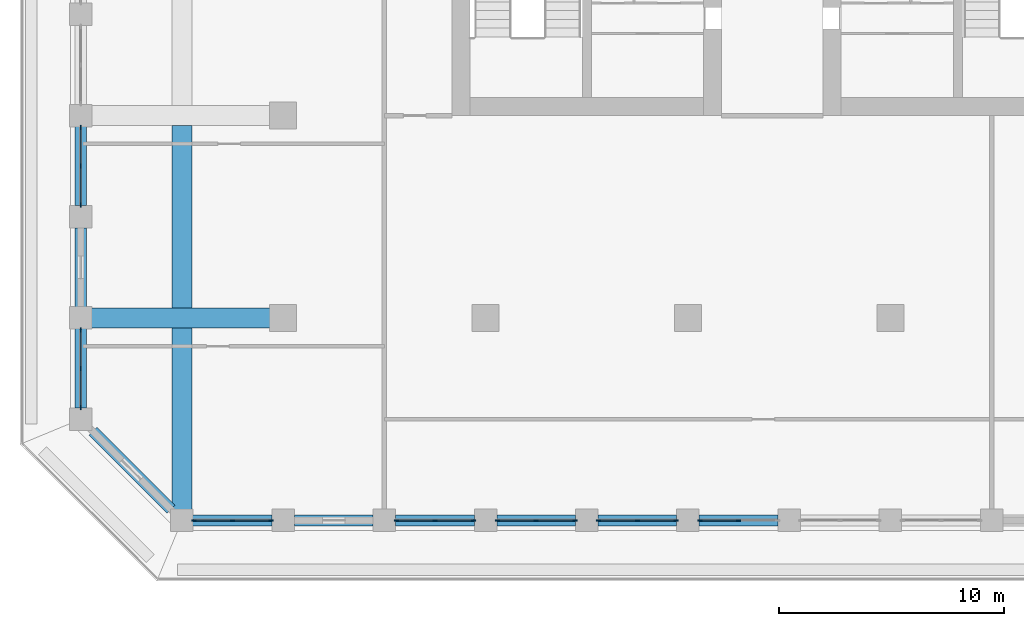
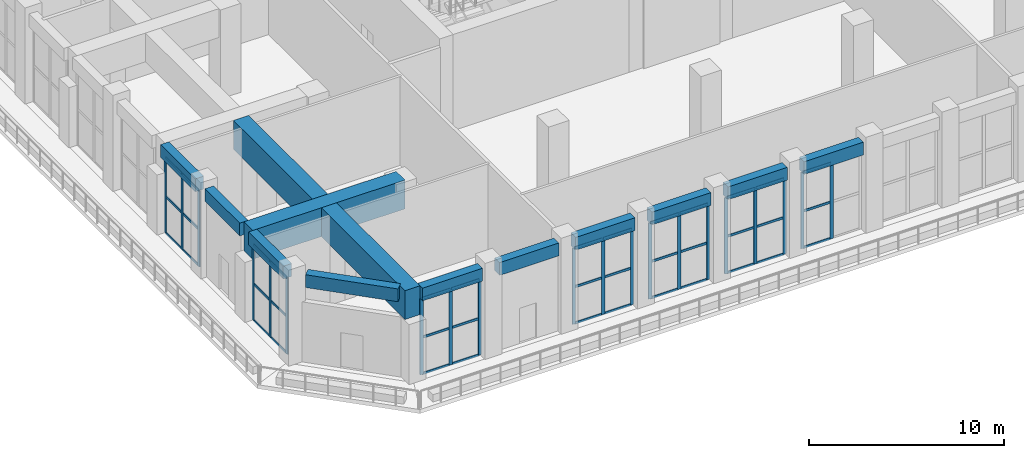
# One storey, part 2 of 25: 59 members, 13 beams, 7 elements without a shape of their own.
"""IFC4 building model written with IfcOpenShell, lengths in metres."""

from ifc_helpers import new_model, si_unit, direction, frame, origin, origin_2d, place, context, subcontext, project, spatial, rectangle, extrude, material, material_profile, profile_set, type_object, element, aggregate, save


model = new_model("IFC4")

# Units and contexts
model_context = context("Model", 3, precision=1e-05, world=origin(), true_north=direction((0.0, 1.0)))
body_context = subcontext(model_context, "Body", "Model", "MODEL_VIEW")
ifc_project = project(units=[si_unit("LENGTHUNIT", "METRE"), si_unit("AREAUNIT", "SQUARE_METRE"), si_unit("VOLUMEUNIT", "CUBIC_METRE"), si_unit("PLANEANGLEUNIT", "RADIAN"), si_unit("MASSUNIT", "GRAM", prefix="KILO")], contexts=[model_context])

# Site, building, storey
site_placement = place(None, origin())
site = spatial("IfcSite", under=ifc_project, at=site_placement, CompositionType="ELEMENT")
building_placement = place(site_placement, origin())
building = spatial("IfcBuilding", under=site, at=building_placement, Name="Corbel Stack Research Tower", CompositionType="ELEMENT")
storey_placement = place(building_placement, frame((0.0, 0.0, 185.5)))
storey = spatial("IfcBuildingStorey", under=building, at=storey_placement, Name="L42", CompositionType="ELEMENT", Elevation=185.5)

# Curtain wall, members
ifc_material_1 = material(Name="Aluminium frame, clear glass", Category="aluminium")
curtain_wall_type = type_object("IfcCurtainWallType", Name="Upper amenity floor curtain wall CW3", PredefinedType="NOTDEFINED", material=ifc_material_1)
curtain_wall_1_placement = place(storey_placement, origin())
curtain_wall_1 = element("IfcCurtainWall", 1, at=curtain_wall_1_placement, inside=storey, type_object=curtain_wall_type, Name="Curtain wall CW3 L42 S01", PredefinedType="NOTDEFINED")
ifc_material_2 = material(Name="Aluminium mullion", Category="aluminium")
ifc_material_profile_1 = material_profile(ifc_material_2, rectangle(XDim=0.06005859375, YDim=0.199951171875, at=origin_2d()), Name="Mullion 60 x 200")
ifc_profile_set_1 = profile_set([ifc_material_profile_1], Name="Aluminium mullion")
member_type_1 = type_object("IfcMemberType", Name="Curtain wall mullion 60 x 200", PredefinedType="MULLION", material=ifc_profile_set_1)
member_1_placement = place(storey_placement, frame((-21.969970703125, -27.0, 0.0), z_axis=(0.0, 0.0, 1.0), x_axis=(0.0, 1.0, 0.0)))
member_1 = element("IfcMember", 2, at=member_1_placement, type_object=member_type_1, Name="CW3 mullion 1", PredefinedType="MULLION", context=body_context, shape_type="SweptSolid", body=[
    extrude(rectangle(XDim=0.06005859375, YDim=0.199951171875, at=origin_2d()), origin(), (0.0, 0.0, 1.0), 4.75),
])
member_2_placement = place(storey_placement, frame((-20.25, -27.0, 0.0), z_axis=(0.0, 0.0, 1.0), x_axis=(0.0, 1.0, 0.0)))
member_2 = element("IfcMember", 3, at=member_2_placement, type_object=member_type_1, Name="CW3 mullion 2", PredefinedType="MULLION", context=body_context, shape_type="SweptSolid", body=[
    extrude(rectangle(XDim=0.06005859375, YDim=0.199951171875, at=origin_2d()), origin(), (0.0, 0.0, 1.0), 4.75),
])
member_3_placement = place(storey_placement, frame((-18.530029296875, -27.0, 0.0), z_axis=(0.0, 0.0, 1.0), x_axis=(0.0, 1.0, 0.0)))
member_3 = element("IfcMember", 4, at=member_3_placement, type_object=member_type_1, Name="CW3 mullion 3", PredefinedType="MULLION", context=body_context, shape_type="SweptSolid", body=[
    extrude(rectangle(XDim=0.06005859375, YDim=0.199951171875, at=origin_2d()), origin(), (0.0, 0.0, 1.0), 4.75),
])

curtain_wall_2_placement = place(storey_placement, origin())
curtain_wall_2 = element("IfcCurtainWall", 5, at=curtain_wall_2_placement, inside=storey, type_object=curtain_wall_type, Name="Curtain wall CW3 L42 S03", PredefinedType="NOTDEFINED")
member_4_placement = place(storey_placement, frame((-12.969970703125, -27.0, 0.0), z_axis=(0.0, 0.0, 1.0), x_axis=(0.0, 1.0, 0.0)))
member_4 = element("IfcMember", 6, at=member_4_placement, type_object=member_type_1, Name="CW3 mullion 1", PredefinedType="MULLION", context=body_context, shape_type="SweptSolid", body=[
    extrude(rectangle(XDim=0.06005859375, YDim=0.199951171875, at=origin_2d()), origin(), (0.0, 0.0, 1.0), 4.75),
])
member_5_placement = place(storey_placement, frame((-11.25, -27.0, 0.0), z_axis=(0.0, 0.0, 1.0), x_axis=(0.0, 1.0, 0.0)))
member_5 = element("IfcMember", 7, at=member_5_placement, type_object=member_type_1, Name="CW3 mullion 2", PredefinedType="MULLION", context=body_context, shape_type="SweptSolid", body=[
    extrude(rectangle(XDim=0.06005859375, YDim=0.199951171875, at=origin_2d()), origin(), (0.0, 0.0, 1.0), 4.75),
])
member_6_placement = place(storey_placement, frame((-9.530029296875, -27.0, 0.0), z_axis=(0.0, 0.0, 1.0), x_axis=(0.0, 1.0, 0.0)))
member_6 = element("IfcMember", 8, at=member_6_placement, type_object=member_type_1, Name="CW3 mullion 3", PredefinedType="MULLION", context=body_context, shape_type="SweptSolid", body=[
    extrude(rectangle(XDim=0.06005859375, YDim=0.199951171875, at=origin_2d()), origin(), (0.0, 0.0, 1.0), 4.75),
])

curtain_wall_3_placement = place(storey_placement, origin())
curtain_wall_3 = element("IfcCurtainWall", 9, at=curtain_wall_3_placement, inside=storey, type_object=curtain_wall_type, Name="Curtain wall CW3 L42 S04", PredefinedType="NOTDEFINED")
member_7_placement = place(storey_placement, frame((-8.469970703125, -27.0, 0.0), z_axis=(0.0, 0.0, 1.0), x_axis=(0.0, 1.0, 0.0)))
member_7 = element("IfcMember", 10, at=member_7_placement, type_object=member_type_1, Name="CW3 mullion 1", PredefinedType="MULLION", context=body_context, shape_type="SweptSolid", body=[
    extrude(rectangle(XDim=0.06005859375, YDim=0.199951171875, at=origin_2d()), origin(), (0.0, 0.0, 1.0), 4.75),
])
member_8_placement = place(storey_placement, frame((-6.75, -27.0, 0.0), z_axis=(0.0, 0.0, 1.0), x_axis=(0.0, 1.0, 0.0)))
member_8 = element("IfcMember", 11, at=member_8_placement, type_object=member_type_1, Name="CW3 mullion 2", PredefinedType="MULLION", context=body_context, shape_type="SweptSolid", body=[
    extrude(rectangle(XDim=0.06005859375, YDim=0.199951171875, at=origin_2d()), origin(), (0.0, 0.0, 1.0), 4.75),
])
member_9_placement = place(storey_placement, frame((-5.030029296875, -27.0, 0.0), z_axis=(0.0, 0.0, 1.0), x_axis=(0.0, 1.0, 0.0)))
member_9 = element("IfcMember", 12, at=member_9_placement, type_object=member_type_1, Name="CW3 mullion 3", PredefinedType="MULLION", context=body_context, shape_type="SweptSolid", body=[
    extrude(rectangle(XDim=0.06005859375, YDim=0.199951171875, at=origin_2d()), origin(), (0.0, 0.0, 1.0), 4.75),
])

curtain_wall_4_placement = place(storey_placement, origin())
curtain_wall_4 = element("IfcCurtainWall", 13, at=curtain_wall_4_placement, inside=storey, type_object=curtain_wall_type, Name="Curtain wall CW3 L42 S05", PredefinedType="NOTDEFINED")
member_10_placement = place(storey_placement, frame((-3.969970703125, -27.0, 0.0), z_axis=(0.0, 0.0, 1.0), x_axis=(0.0, 1.0, 0.0)))
member_10 = element("IfcMember", 14, at=member_10_placement, type_object=member_type_1, Name="CW3 mullion 1", PredefinedType="MULLION", context=body_context, shape_type="SweptSolid", body=[
    extrude(rectangle(XDim=0.06005859375, YDim=0.199951171875, at=origin_2d()), origin(), (0.0, 0.0, 1.0), 4.75),
])
member_11_placement = place(storey_placement, frame((-2.25, -27.0, 0.0), z_axis=(0.0, 0.0, 1.0), x_axis=(0.0, 1.0, 0.0)))
member_11 = element("IfcMember", 15, at=member_11_placement, type_object=member_type_1, Name="CW3 mullion 2", PredefinedType="MULLION", context=body_context, shape_type="SweptSolid", body=[
    extrude(rectangle(XDim=0.06005859375, YDim=0.199951171875, at=origin_2d()), origin(), (0.0, 0.0, 1.0), 4.75),
])
member_12_placement = place(storey_placement, frame((-0.530029296875, -27.0, 0.0), z_axis=(0.0, 0.0, 1.0), x_axis=(0.0, 1.0, 0.0)))
member_12 = element("IfcMember", 16, at=member_12_placement, type_object=member_type_1, Name="CW3 mullion 3", PredefinedType="MULLION", context=body_context, shape_type="SweptSolid", body=[
    extrude(rectangle(XDim=0.06005859375, YDim=0.199951171875, at=origin_2d()), origin(), (0.0, 0.0, 1.0), 4.75),
])

curtain_wall_5_placement = place(storey_placement, origin())
curtain_wall_5 = element("IfcCurtainWall", 17, at=curtain_wall_5_placement, inside=storey, type_object=curtain_wall_type, Name="Curtain wall CW3 L42 S06", PredefinedType="NOTDEFINED")
member_13_placement = place(storey_placement, frame((0.530029296875, -27.0, 0.0), z_axis=(0.0, 0.0, 1.0), x_axis=(0.0, 1.0, 0.0)))
member_13 = element("IfcMember", 18, at=member_13_placement, type_object=member_type_1, Name="CW3 mullion 1", PredefinedType="MULLION", context=body_context, shape_type="SweptSolid", body=[
    extrude(rectangle(XDim=0.06005859375, YDim=0.199951171875, at=origin_2d()), origin(), (0.0, 0.0, 1.0), 4.75),
])
member_14_placement = place(storey_placement, frame((2.25, -27.0, 0.0), z_axis=(0.0, 0.0, 1.0), x_axis=(0.0, 1.0, 0.0)))
member_14 = element("IfcMember", 19, at=member_14_placement, type_object=member_type_1, Name="CW3 mullion 2", PredefinedType="MULLION", context=body_context, shape_type="SweptSolid", body=[
    extrude(rectangle(XDim=0.06005859375, YDim=0.199951171875, at=origin_2d()), origin(), (0.0, 0.0, 1.0), 4.75),
])

curtain_wall_6_placement = place(storey_placement, origin())
curtain_wall_6 = element("IfcCurtainWall", 20, at=curtain_wall_6_placement, inside=storey, type_object=curtain_wall_type, Name="Curtain wall CW3 L42 W08", PredefinedType="NOTDEFINED")
member_15_placement = place(storey_placement, frame((-27.0, -9.530029296875, 0.0), z_axis=(0.0, 0.0, 1.0), x_axis=(1.0, 0.0, 0.0)))
member_15 = element("IfcMember", 21, at=member_15_placement, type_object=member_type_1, Name="CW3 mullion 1", PredefinedType="MULLION", context=body_context, shape_type="SweptSolid", body=[
    extrude(rectangle(XDim=0.06005859375, YDim=0.199951171875, at=origin_2d()), origin(), (0.0, 0.0, 1.0), 4.75),
])
member_16_placement = place(storey_placement, frame((-27.0, -11.25, 0.0), z_axis=(0.0, 0.0, 1.0), x_axis=(1.0, 0.0, 0.0)))
member_16 = element("IfcMember", 22, at=member_16_placement, type_object=member_type_1, Name="CW3 mullion 2", PredefinedType="MULLION", context=body_context, shape_type="SweptSolid", body=[
    extrude(rectangle(XDim=0.06005859375, YDim=0.199951171875, at=origin_2d()), origin(), (0.0, 0.0, 1.0), 4.75),
])
member_17_placement = place(storey_placement, frame((-27.0, -12.969970703125, 0.0), z_axis=(0.0, 0.0, 1.0), x_axis=(1.0, 0.0, 0.0)))
member_17 = element("IfcMember", 23, at=member_17_placement, type_object=member_type_1, Name="CW3 mullion 3", PredefinedType="MULLION", context=body_context, shape_type="SweptSolid", body=[
    extrude(rectangle(XDim=0.06005859375, YDim=0.199951171875, at=origin_2d()), origin(), (0.0, 0.0, 1.0), 4.75),
])

curtain_wall_7_placement = place(storey_placement, origin())
curtain_wall_7 = element("IfcCurtainWall", 24, at=curtain_wall_7_placement, inside=storey, type_object=curtain_wall_type, Name="Curtain wall CW3 L42 W10", PredefinedType="NOTDEFINED")
member_18_placement = place(storey_placement, frame((-27.0, -18.530029296875, 0.0), z_axis=(0.0, 0.0, 1.0), x_axis=(1.0, 0.0, 0.0)))
member_18 = element("IfcMember", 25, at=member_18_placement, type_object=member_type_1, Name="CW3 mullion 1", PredefinedType="MULLION", context=body_context, shape_type="SweptSolid", body=[
    extrude(rectangle(XDim=0.06005859375, YDim=0.199951171875, at=origin_2d()), origin(), (0.0, 0.0, 1.0), 4.75),
])
member_19_placement = place(storey_placement, frame((-27.0, -20.25, 0.0), z_axis=(0.0, 0.0, 1.0), x_axis=(1.0, 0.0, 0.0)))
member_19 = element("IfcMember", 26, at=member_19_placement, type_object=member_type_1, Name="CW3 mullion 2", PredefinedType="MULLION", context=body_context, shape_type="SweptSolid", body=[
    extrude(rectangle(XDim=0.06005859375, YDim=0.199951171875, at=origin_2d()), origin(), (0.0, 0.0, 1.0), 4.75),
])
member_20_placement = place(storey_placement, frame((-27.0, -21.969970703125, 0.0), z_axis=(0.0, 0.0, 1.0), x_axis=(1.0, 0.0, 0.0)))
member_20 = element("IfcMember", 27, at=member_20_placement, type_object=member_type_1, Name="CW3 mullion 3", PredefinedType="MULLION", context=body_context, shape_type="SweptSolid", body=[
    extrude(rectangle(XDim=0.06005859375, YDim=0.199951171875, at=origin_2d()), origin(), (0.0, 0.0, 1.0), 4.75),
])

# Member
ifc_material_3 = material(Name="Aluminium transom", Category="aluminium")
ifc_material_profile_2 = material_profile(ifc_material_3, rectangle(XDim=0.06005859375, YDim=0.14990234375, at=origin_2d()), Name="Transom 60 x 150")
ifc_profile_set_2 = profile_set([ifc_material_profile_2], Name="Aluminium transom")
member_type_2 = type_object("IfcMemberType", Name="Curtain wall transom 60 x 150", PredefinedType="USERDEFINED", material=ifc_profile_set_2)
member_21_placement = place(storey_placement, frame((-21.93994140625, -27.0, 0.030029296875), z_axis=(1.0, 0.0, 0.0), x_axis=(0.0, 1.0, 0.0)))
member_21 = element("IfcMember", 28, at=member_21_placement, type_object=member_type_2, Name="CW3 transom 1.1", ObjectType="TRANSOM", PredefinedType="USERDEFINED", context=body_context, shape_type="SweptSolid", body=[
    extrude(rectangle(XDim=0.06005859375, YDim=0.14990234375, at=origin_2d()), origin(), (0.0, 0.0, 1.0), 1.659912109375),
])

member_22_placement = place(storey_placement, frame((-21.93994140625, -27.0, 2.300048828125), z_axis=(1.0, 0.0, 0.0), x_axis=(0.0, 1.0, 0.0)))
member_22 = element("IfcMember", 29, at=member_22_placement, type_object=member_type_2, Name="CW3 transom 1.2", ObjectType="TRANSOM", PredefinedType="USERDEFINED", context=body_context, shape_type="SweptSolid", body=[
    extrude(rectangle(XDim=0.06005859375, YDim=0.14990234375, at=origin_2d()), origin(), (0.0, 0.0, 1.0), 1.659912109375),
])

member_23_placement = place(storey_placement, frame((-21.93994140625, -27.0, 4.719970703125), z_axis=(1.0, 0.0, 0.0), x_axis=(0.0, 1.0, 0.0)))
member_23 = element("IfcMember", 30, at=member_23_placement, type_object=member_type_2, Name="CW3 transom 1.3", ObjectType="TRANSOM", PredefinedType="USERDEFINED", context=body_context, shape_type="SweptSolid", body=[
    extrude(rectangle(XDim=0.06005859375, YDim=0.14990234375, at=origin_2d()), origin(), (0.0, 0.0, 1.0), 1.659912109375),
])

member_24_placement = place(storey_placement, frame((-20.219970703125, -27.0, 0.030029296875), z_axis=(1.0, 0.0, 0.0), x_axis=(0.0, 1.0, 0.0)))
member_24 = element("IfcMember", 31, at=member_24_placement, type_object=member_type_2, Name="CW3 transom 2.1", ObjectType="TRANSOM", PredefinedType="USERDEFINED", context=body_context, shape_type="SweptSolid", body=[
    extrude(rectangle(XDim=0.06005859375, YDim=0.14990234375, at=origin_2d()), origin(), (0.0, 0.0, 1.0), 1.659912109375),
])

member_25_placement = place(storey_placement, frame((-20.219970703125, -27.0, 2.300048828125), z_axis=(1.0, 0.0, 0.0), x_axis=(0.0, 1.0, 0.0)))
member_25 = element("IfcMember", 32, at=member_25_placement, type_object=member_type_2, Name="CW3 transom 2.2", ObjectType="TRANSOM", PredefinedType="USERDEFINED", context=body_context, shape_type="SweptSolid", body=[
    extrude(rectangle(XDim=0.06005859375, YDim=0.14990234375, at=origin_2d()), origin(), (0.0, 0.0, 1.0), 1.659912109375),
])

member_26_placement = place(storey_placement, frame((-20.219970703125, -27.0, 4.719970703125), z_axis=(1.0, 0.0, 0.0), x_axis=(0.0, 1.0, 0.0)))
member_26 = element("IfcMember", 33, at=member_26_placement, type_object=member_type_2, Name="CW3 transom 2.3", ObjectType="TRANSOM", PredefinedType="USERDEFINED", context=body_context, shape_type="SweptSolid", body=[
    extrude(rectangle(XDim=0.06005859375, YDim=0.14990234375, at=origin_2d()), origin(), (0.0, 0.0, 1.0), 1.659912109375),
])

aggregate(curtain_wall_1, [member_1, member_2, member_3, member_21, member_22, member_23, member_24, member_25, member_26])

member_27_placement = place(storey_placement, frame((-12.93994140625, -27.0, 0.030029296875), z_axis=(1.0, 0.0, 0.0), x_axis=(0.0, 1.0, 0.0)))
member_27 = element("IfcMember", 34, at=member_27_placement, type_object=member_type_2, Name="CW3 transom 1.1", ObjectType="TRANSOM", PredefinedType="USERDEFINED", context=body_context, shape_type="SweptSolid", body=[
    extrude(rectangle(XDim=0.06005859375, YDim=0.14990234375, at=origin_2d()), origin(), (0.0, 0.0, 1.0), 1.659912109375),
])

member_28_placement = place(storey_placement, frame((-12.93994140625, -27.0, 2.300048828125), z_axis=(1.0, 0.0, 0.0), x_axis=(0.0, 1.0, 0.0)))
member_28 = element("IfcMember", 35, at=member_28_placement, type_object=member_type_2, Name="CW3 transom 1.2", ObjectType="TRANSOM", PredefinedType="USERDEFINED", context=body_context, shape_type="SweptSolid", body=[
    extrude(rectangle(XDim=0.06005859375, YDim=0.14990234375, at=origin_2d()), origin(), (0.0, 0.0, 1.0), 1.659912109375),
])

member_29_placement = place(storey_placement, frame((-12.93994140625, -27.0, 4.719970703125), z_axis=(1.0, 0.0, 0.0), x_axis=(0.0, 1.0, 0.0)))
member_29 = element("IfcMember", 36, at=member_29_placement, type_object=member_type_2, Name="CW3 transom 1.3", ObjectType="TRANSOM", PredefinedType="USERDEFINED", context=body_context, shape_type="SweptSolid", body=[
    extrude(rectangle(XDim=0.06005859375, YDim=0.14990234375, at=origin_2d()), origin(), (0.0, 0.0, 1.0), 1.659912109375),
])

member_30_placement = place(storey_placement, frame((-11.219970703125, -27.0, 0.030029296875), z_axis=(1.0, 0.0, 0.0), x_axis=(0.0, 1.0, 0.0)))
member_30 = element("IfcMember", 37, at=member_30_placement, type_object=member_type_2, Name="CW3 transom 2.1", ObjectType="TRANSOM", PredefinedType="USERDEFINED", context=body_context, shape_type="SweptSolid", body=[
    extrude(rectangle(XDim=0.06005859375, YDim=0.14990234375, at=origin_2d()), origin(), (0.0, 0.0, 1.0), 1.659912109375),
])

member_31_placement = place(storey_placement, frame((-11.219970703125, -27.0, 2.300048828125), z_axis=(1.0, 0.0, 0.0), x_axis=(0.0, 1.0, 0.0)))
member_31 = element("IfcMember", 38, at=member_31_placement, type_object=member_type_2, Name="CW3 transom 2.2", ObjectType="TRANSOM", PredefinedType="USERDEFINED", context=body_context, shape_type="SweptSolid", body=[
    extrude(rectangle(XDim=0.06005859375, YDim=0.14990234375, at=origin_2d()), origin(), (0.0, 0.0, 1.0), 1.659912109375),
])

member_32_placement = place(storey_placement, frame((-11.219970703125, -27.0, 4.719970703125), z_axis=(1.0, 0.0, 0.0), x_axis=(0.0, 1.0, 0.0)))
member_32 = element("IfcMember", 39, at=member_32_placement, type_object=member_type_2, Name="CW3 transom 2.3", ObjectType="TRANSOM", PredefinedType="USERDEFINED", context=body_context, shape_type="SweptSolid", body=[
    extrude(rectangle(XDim=0.06005859375, YDim=0.14990234375, at=origin_2d()), origin(), (0.0, 0.0, 1.0), 1.659912109375),
])

aggregate(curtain_wall_2, [member_4, member_5, member_6, member_27, member_28, member_29, member_30, member_31, member_32])

member_33_placement = place(storey_placement, frame((-8.43994140625, -27.0, 0.030029296875), z_axis=(1.0, 0.0, 0.0), x_axis=(0.0, 1.0, 0.0)))
member_33 = element("IfcMember", 40, at=member_33_placement, type_object=member_type_2, Name="CW3 transom 1.1", ObjectType="TRANSOM", PredefinedType="USERDEFINED", context=body_context, shape_type="SweptSolid", body=[
    extrude(rectangle(XDim=0.06005859375, YDim=0.14990234375, at=origin_2d()), origin(), (0.0, 0.0, 1.0), 1.659912109375),
])

member_34_placement = place(storey_placement, frame((-8.43994140625, -27.0, 2.300048828125), z_axis=(1.0, 0.0, 0.0), x_axis=(0.0, 1.0, 0.0)))
member_34 = element("IfcMember", 41, at=member_34_placement, type_object=member_type_2, Name="CW3 transom 1.2", ObjectType="TRANSOM", PredefinedType="USERDEFINED", context=body_context, shape_type="SweptSolid", body=[
    extrude(rectangle(XDim=0.06005859375, YDim=0.14990234375, at=origin_2d()), origin(), (0.0, 0.0, 1.0), 1.659912109375),
])

member_35_placement = place(storey_placement, frame((-8.43994140625, -27.0, 4.719970703125), z_axis=(1.0, 0.0, 0.0), x_axis=(0.0, 1.0, 0.0)))
member_35 = element("IfcMember", 42, at=member_35_placement, type_object=member_type_2, Name="CW3 transom 1.3", ObjectType="TRANSOM", PredefinedType="USERDEFINED", context=body_context, shape_type="SweptSolid", body=[
    extrude(rectangle(XDim=0.06005859375, YDim=0.14990234375, at=origin_2d()), origin(), (0.0, 0.0, 1.0), 1.659912109375),
])

member_36_placement = place(storey_placement, frame((-6.719970703125, -27.0, 0.030029296875), z_axis=(1.0, 0.0, 0.0), x_axis=(0.0, 1.0, 0.0)))
member_36 = element("IfcMember", 43, at=member_36_placement, type_object=member_type_2, Name="CW3 transom 2.1", ObjectType="TRANSOM", PredefinedType="USERDEFINED", context=body_context, shape_type="SweptSolid", body=[
    extrude(rectangle(XDim=0.06005859375, YDim=0.14990234375, at=origin_2d()), origin(), (0.0, 0.0, 1.0), 1.659912109375),
])

member_37_placement = place(storey_placement, frame((-6.719970703125, -27.0, 2.300048828125), z_axis=(1.0, 0.0, 0.0), x_axis=(0.0, 1.0, 0.0)))
member_37 = element("IfcMember", 44, at=member_37_placement, type_object=member_type_2, Name="CW3 transom 2.2", ObjectType="TRANSOM", PredefinedType="USERDEFINED", context=body_context, shape_type="SweptSolid", body=[
    extrude(rectangle(XDim=0.06005859375, YDim=0.14990234375, at=origin_2d()), origin(), (0.0, 0.0, 1.0), 1.659912109375),
])

member_38_placement = place(storey_placement, frame((-6.719970703125, -27.0, 4.719970703125), z_axis=(1.0, 0.0, 0.0), x_axis=(0.0, 1.0, 0.0)))
member_38 = element("IfcMember", 45, at=member_38_placement, type_object=member_type_2, Name="CW3 transom 2.3", ObjectType="TRANSOM", PredefinedType="USERDEFINED", context=body_context, shape_type="SweptSolid", body=[
    extrude(rectangle(XDim=0.06005859375, YDim=0.14990234375, at=origin_2d()), origin(), (0.0, 0.0, 1.0), 1.659912109375),
])

aggregate(curtain_wall_3, [member_7, member_8, member_9, member_33, member_34, member_35, member_36, member_37, member_38])

member_39_placement = place(storey_placement, frame((-3.93994140625, -27.0, 0.030029296875), z_axis=(1.0, 0.0, 0.0), x_axis=(0.0, 1.0, 0.0)))
member_39 = element("IfcMember", 46, at=member_39_placement, type_object=member_type_2, Name="CW3 transom 1.1", ObjectType="TRANSOM", PredefinedType="USERDEFINED", context=body_context, shape_type="SweptSolid", body=[
    extrude(rectangle(XDim=0.06005859375, YDim=0.14990234375, at=origin_2d()), origin(), (0.0, 0.0, 1.0), 1.659912109375),
])

member_40_placement = place(storey_placement, frame((-3.93994140625, -27.0, 2.300048828125), z_axis=(1.0, 0.0, 0.0), x_axis=(0.0, 1.0, 0.0)))
member_40 = element("IfcMember", 47, at=member_40_placement, type_object=member_type_2, Name="CW3 transom 1.2", ObjectType="TRANSOM", PredefinedType="USERDEFINED", context=body_context, shape_type="SweptSolid", body=[
    extrude(rectangle(XDim=0.06005859375, YDim=0.14990234375, at=origin_2d()), origin(), (0.0, 0.0, 1.0), 1.659912109375),
])

member_41_placement = place(storey_placement, frame((-3.93994140625, -27.0, 4.719970703125), z_axis=(1.0, 0.0, 0.0), x_axis=(0.0, 1.0, 0.0)))
member_41 = element("IfcMember", 48, at=member_41_placement, type_object=member_type_2, Name="CW3 transom 1.3", ObjectType="TRANSOM", PredefinedType="USERDEFINED", context=body_context, shape_type="SweptSolid", body=[
    extrude(rectangle(XDim=0.06005859375, YDim=0.14990234375, at=origin_2d()), origin(), (0.0, 0.0, 1.0), 1.659912109375),
])

member_42_placement = place(storey_placement, frame((-2.219970703125, -27.0, 0.030029296875), z_axis=(1.0, 0.0, 0.0), x_axis=(0.0, 1.0, 0.0)))
member_42 = element("IfcMember", 49, at=member_42_placement, type_object=member_type_2, Name="CW3 transom 2.1", ObjectType="TRANSOM", PredefinedType="USERDEFINED", context=body_context, shape_type="SweptSolid", body=[
    extrude(rectangle(XDim=0.06005859375, YDim=0.14990234375, at=origin_2d()), origin(), (0.0, 0.0, 1.0), 1.659912109375),
])

member_43_placement = place(storey_placement, frame((-2.219970703125, -27.0, 2.300048828125), z_axis=(1.0, 0.0, 0.0), x_axis=(0.0, 1.0, 0.0)))
member_43 = element("IfcMember", 50, at=member_43_placement, type_object=member_type_2, Name="CW3 transom 2.2", ObjectType="TRANSOM", PredefinedType="USERDEFINED", context=body_context, shape_type="SweptSolid", body=[
    extrude(rectangle(XDim=0.06005859375, YDim=0.14990234375, at=origin_2d()), origin(), (0.0, 0.0, 1.0), 1.659912109375),
])

member_44_placement = place(storey_placement, frame((-2.219970703125, -27.0, 4.719970703125), z_axis=(1.0, 0.0, 0.0), x_axis=(0.0, 1.0, 0.0)))
member_44 = element("IfcMember", 51, at=member_44_placement, type_object=member_type_2, Name="CW3 transom 2.3", ObjectType="TRANSOM", PredefinedType="USERDEFINED", context=body_context, shape_type="SweptSolid", body=[
    extrude(rectangle(XDim=0.06005859375, YDim=0.14990234375, at=origin_2d()), origin(), (0.0, 0.0, 1.0), 1.659912109375),
])

aggregate(curtain_wall_4, [member_10, member_11, member_12, member_39, member_40, member_41, member_42, member_43, member_44])

member_45_placement = place(storey_placement, frame((0.56005859375, -27.0, 0.030029296875), z_axis=(1.0, 0.0, 0.0), x_axis=(0.0, 1.0, 0.0)))
member_45 = element("IfcMember", 52, at=member_45_placement, type_object=member_type_2, Name="CW3 transom 1.1", ObjectType="TRANSOM", PredefinedType="USERDEFINED", context=body_context, shape_type="SweptSolid", body=[
    extrude(rectangle(XDim=0.06005859375, YDim=0.14990234375, at=origin_2d()), origin(), (0.0, 0.0, 1.0), 1.659912109375),
])

member_46_placement = place(storey_placement, frame((0.56005859375, -27.0, 2.300048828125), z_axis=(1.0, 0.0, 0.0), x_axis=(0.0, 1.0, 0.0)))
member_46 = element("IfcMember", 53, at=member_46_placement, type_object=member_type_2, Name="CW3 transom 1.2", ObjectType="TRANSOM", PredefinedType="USERDEFINED", context=body_context, shape_type="SweptSolid", body=[
    extrude(rectangle(XDim=0.06005859375, YDim=0.14990234375, at=origin_2d()), origin(), (0.0, 0.0, 1.0), 1.659912109375),
])

member_47_placement = place(storey_placement, frame((0.56005859375, -27.0, 4.719970703125), z_axis=(1.0, 0.0, 0.0), x_axis=(0.0, 1.0, 0.0)))
member_47 = element("IfcMember", 54, at=member_47_placement, type_object=member_type_2, Name="CW3 transom 1.3", ObjectType="TRANSOM", PredefinedType="USERDEFINED", context=body_context, shape_type="SweptSolid", body=[
    extrude(rectangle(XDim=0.06005859375, YDim=0.14990234375, at=origin_2d()), origin(), (0.0, 0.0, 1.0), 1.659912109375),
])

aggregate(curtain_wall_5, [member_13, member_14, member_45, member_46, member_47])

member_48_placement = place(storey_placement, frame((-27.0, -9.56005859375, 0.030029296875), z_axis=(0.0, -1.0, 0.0), x_axis=(1.0, 0.0, 0.0)))
member_48 = element("IfcMember", 55, at=member_48_placement, type_object=member_type_2, Name="CW3 transom 1.1", ObjectType="TRANSOM", PredefinedType="USERDEFINED", context=body_context, shape_type="SweptSolid", body=[
    extrude(rectangle(XDim=0.06005859375, YDim=0.14990234375, at=origin_2d()), origin(), (0.0, 0.0, 1.0), 1.659912109375),
])

member_49_placement = place(storey_placement, frame((-27.0, -9.56005859375, 2.300048828125), z_axis=(0.0, -1.0, 0.0), x_axis=(1.0, 0.0, 0.0)))
member_49 = element("IfcMember", 56, at=member_49_placement, type_object=member_type_2, Name="CW3 transom 1.2", ObjectType="TRANSOM", PredefinedType="USERDEFINED", context=body_context, shape_type="SweptSolid", body=[
    extrude(rectangle(XDim=0.06005859375, YDim=0.14990234375, at=origin_2d()), origin(), (0.0, 0.0, 1.0), 1.659912109375),
])

member_50_placement = place(storey_placement, frame((-27.0, -9.56005859375, 4.719970703125), z_axis=(0.0, -1.0, 0.0), x_axis=(1.0, 0.0, 0.0)))
member_50 = element("IfcMember", 57, at=member_50_placement, type_object=member_type_2, Name="CW3 transom 1.3", ObjectType="TRANSOM", PredefinedType="USERDEFINED", context=body_context, shape_type="SweptSolid", body=[
    extrude(rectangle(XDim=0.06005859375, YDim=0.14990234375, at=origin_2d()), origin(), (0.0, 0.0, 1.0), 1.659912109375),
])

member_51_placement = place(storey_placement, frame((-27.0, -11.280029296875, 0.030029296875), z_axis=(0.0, -1.0, 0.0), x_axis=(1.0, 0.0, 0.0)))
member_51 = element("IfcMember", 58, at=member_51_placement, type_object=member_type_2, Name="CW3 transom 2.1", ObjectType="TRANSOM", PredefinedType="USERDEFINED", context=body_context, shape_type="SweptSolid", body=[
    extrude(rectangle(XDim=0.06005859375, YDim=0.14990234375, at=origin_2d()), origin(), (0.0, 0.0, 1.0), 1.659912109375),
])

member_52_placement = place(storey_placement, frame((-27.0, -11.280029296875, 2.300048828125), z_axis=(0.0, -1.0, 0.0), x_axis=(1.0, 0.0, 0.0)))
member_52 = element("IfcMember", 59, at=member_52_placement, type_object=member_type_2, Name="CW3 transom 2.2", ObjectType="TRANSOM", PredefinedType="USERDEFINED", context=body_context, shape_type="SweptSolid", body=[
    extrude(rectangle(XDim=0.06005859375, YDim=0.14990234375, at=origin_2d()), origin(), (0.0, 0.0, 1.0), 1.659912109375),
])

member_53_placement = place(storey_placement, frame((-27.0, -11.280029296875, 4.719970703125), z_axis=(0.0, -1.0, 0.0), x_axis=(1.0, 0.0, 0.0)))
member_53 = element("IfcMember", 60, at=member_53_placement, type_object=member_type_2, Name="CW3 transom 2.3", ObjectType="TRANSOM", PredefinedType="USERDEFINED", context=body_context, shape_type="SweptSolid", body=[
    extrude(rectangle(XDim=0.06005859375, YDim=0.14990234375, at=origin_2d()), origin(), (0.0, 0.0, 1.0), 1.659912109375),
])

aggregate(curtain_wall_6, [member_15, member_16, member_17, member_48, member_49, member_50, member_51, member_52, member_53])

member_54_placement = place(storey_placement, frame((-27.0, -18.56005859375, 0.030029296875), z_axis=(0.0, -1.0, 0.0), x_axis=(1.0, 0.0, 0.0)))
member_54 = element("IfcMember", 61, at=member_54_placement, type_object=member_type_2, Name="CW3 transom 1.1", ObjectType="TRANSOM", PredefinedType="USERDEFINED", context=body_context, shape_type="SweptSolid", body=[
    extrude(rectangle(XDim=0.06005859375, YDim=0.14990234375, at=origin_2d()), origin(), (0.0, 0.0, 1.0), 1.659912109375),
])

member_55_placement = place(storey_placement, frame((-27.0, -18.56005859375, 2.300048828125), z_axis=(0.0, -1.0, 0.0), x_axis=(1.0, 0.0, 0.0)))
member_55 = element("IfcMember", 62, at=member_55_placement, type_object=member_type_2, Name="CW3 transom 1.2", ObjectType="TRANSOM", PredefinedType="USERDEFINED", context=body_context, shape_type="SweptSolid", body=[
    extrude(rectangle(XDim=0.06005859375, YDim=0.14990234375, at=origin_2d()), origin(), (0.0, 0.0, 1.0), 1.659912109375),
])

member_56_placement = place(storey_placement, frame((-27.0, -18.56005859375, 4.719970703125), z_axis=(0.0, -1.0, 0.0), x_axis=(1.0, 0.0, 0.0)))
member_56 = element("IfcMember", 63, at=member_56_placement, type_object=member_type_2, Name="CW3 transom 1.3", ObjectType="TRANSOM", PredefinedType="USERDEFINED", context=body_context, shape_type="SweptSolid", body=[
    extrude(rectangle(XDim=0.06005859375, YDim=0.14990234375, at=origin_2d()), origin(), (0.0, 0.0, 1.0), 1.659912109375),
])

member_57_placement = place(storey_placement, frame((-27.0, -20.280029296875, 0.030029296875), z_axis=(0.0, -1.0, 0.0), x_axis=(1.0, 0.0, 0.0)))
member_57 = element("IfcMember", 64, at=member_57_placement, type_object=member_type_2, Name="CW3 transom 2.1", ObjectType="TRANSOM", PredefinedType="USERDEFINED", context=body_context, shape_type="SweptSolid", body=[
    extrude(rectangle(XDim=0.06005859375, YDim=0.14990234375, at=origin_2d()), origin(), (0.0, 0.0, 1.0), 1.659912109375),
])

member_58_placement = place(storey_placement, frame((-27.0, -20.280029296875, 2.300048828125), z_axis=(0.0, -1.0, 0.0), x_axis=(1.0, 0.0, 0.0)))
member_58 = element("IfcMember", 65, at=member_58_placement, type_object=member_type_2, Name="CW3 transom 2.2", ObjectType="TRANSOM", PredefinedType="USERDEFINED", context=body_context, shape_type="SweptSolid", body=[
    extrude(rectangle(XDim=0.06005859375, YDim=0.14990234375, at=origin_2d()), origin(), (0.0, 0.0, 1.0), 1.659912109375),
])

member_59_placement = place(storey_placement, frame((-27.0, -20.280029296875, 4.719970703125), z_axis=(0.0, -1.0, 0.0), x_axis=(1.0, 0.0, 0.0)))
member_59 = element("IfcMember", 66, at=member_59_placement, type_object=member_type_2, Name="CW3 transom 2.3", ObjectType="TRANSOM", PredefinedType="USERDEFINED", context=body_context, shape_type="SweptSolid", body=[
    extrude(rectangle(XDim=0.06005859375, YDim=0.14990234375, at=origin_2d()), origin(), (0.0, 0.0, 1.0), 1.659912109375),
])

aggregate(curtain_wall_7, [member_18, member_19, member_20, member_54, member_55, member_56, member_57, member_58, member_59])

# Beams
ifc_material_4 = material(Name="Concrete C60/75", Category="concrete")
ifc_material_profile_3 = material_profile(ifc_material_4, rectangle(XDim=0.5, YDim=0.800048828125, at=origin_2d()), Name="RC 500 x 800")
ifc_profile_set_3 = profile_set([ifc_material_profile_3], Name="Concrete C60/75")
beam_type_1 = type_object("IfcBeamType", Name="SB-500-800-450", PredefinedType="SPANDREL", material=ifc_profile_set_3)
beam_1_placement = place(storey_placement, frame((-22.050048828125, -27.0, 5.14990234375), z_axis=(1.0, 0.0, 0.0), x_axis=(0.0, 1.0, 0.0)))
element("IfcBeam", 67, at=beam_1_placement, inside=storey, type_object=beam_type_1, Name="Spandrel beam L42-01", PredefinedType="SPANDREL", context=body_context, shape_type="SweptSolid", body=[
    extrude(rectangle(XDim=0.5, YDim=0.800048828125, at=origin_2d()), origin(), (0.0, 0.0, 1.0), 3.550048828125),
])
for number, where, z_axis, x_axis, name in (
    (68, (-17.5, -27.0, 5.14990234375), (1.0, 0.0, 0.0), (0.0, 1.0, 0.0), "Spandrel beam L42-02"),
    (69, (-13.0, -27.0, 5.14990234375), (1.0, 0.0, 0.0), (0.0, 1.0, 0.0), "Spandrel beam L42-03"),
    (70, (-8.5, -27.0, 5.14990234375), (1.0, 0.0, 0.0), (0.0, 1.0, 0.0), "Spandrel beam L42-04"),
    (71, (-4.0, -27.0, 5.14990234375), (1.0, 0.0, 0.0), (0.0, 1.0, 0.0), "Spandrel beam L42-05"),
    (72, (0.5, -27.0, 5.14990234375), (1.0, 0.0, 0.0), (0.0, 1.0, 0.0), "Spandrel beam L42-06"),
):
    element("IfcBeam", number, at=place(storey_placement, frame(where, z_axis=z_axis, x_axis=x_axis)), inside=storey, type_object=beam_type_1, Name=name, PredefinedType="SPANDREL", context=body_context, shape_type="SweptSolid", body=[
        extrude(rectangle(XDim=0.5, YDim=0.800048828125, at=origin_2d()), origin(), (0.0, 0.0, 1.0), 3.5),
    ])
for number, where, z_axis, x_axis, name in (
    (73, (-27.0, -9.449951171875, 5.14990234375), (0.0, -1.0, 0.0), (1.0, 0.0, 0.0), "Spandrel beam L42-41"),
    (74, (-27.0, -14.0, 5.14990234375), (0.0, -1.0, 0.0), (1.0, 0.0, 0.0), "Spandrel beam L42-42"),
    (75, (-27.0, -18.449951171875, 5.14990234375), (0.0, -1.0, 0.0), (1.0, 0.0, 0.0), "Spandrel beam L42-43"),
):
    element("IfcBeam", number, at=place(storey_placement, frame(where, z_axis=z_axis, x_axis=x_axis)), inside=storey, type_object=beam_type_1, Name=name, PredefinedType="SPANDREL", context=body_context, shape_type="SweptSolid", body=[
        extrude(rectangle(XDim=0.5, YDim=0.800048828125, at=origin_2d()), origin(), (0.0, 0.0, 1.0), 3.550048828125),
    ])
beam_2_placement = place(storey_placement, frame((-26.45751953125, -23.04248046875, 5.14990234375), z_axis=(0.707106781187, -0.707106781187, 0.0), x_axis=(0.707106781187, 0.707106781187, 0.0)))
element("IfcBeam", 76, at=beam_2_placement, inside=storey, type_object=beam_type_1, Name="Spandrel beam L42-44", PredefinedType="SPANDREL", context=body_context, shape_type="SweptSolid", body=[
    extrude(rectangle(XDim=0.5, YDim=0.800048828125, at=origin_2d()), origin(), (0.0, 0.0, 1.0), 4.900390625),
])
ifc_material_5 = material(Name="Concrete C60/75", Category="concrete")
ifc_material_profile_4 = material_profile(ifc_material_5, rectangle(XDim=0.89990234375, YDim=1.800048828125, at=origin_2d()), Name="RC 900 x 1800")
ifc_profile_set_4 = profile_set([ifc_material_profile_4], Name="Concrete C60/75")
beam_type_2 = type_object("IfcBeamType", Name="TG-900-1800", PredefinedType="BEAM", material=ifc_profile_set_4)
beam_3_placement = place(storey_placement, frame((-27.0, -18.0, 4.64990234375), z_axis=(1.0, 0.0, 0.0), x_axis=(0.0, 1.0, 0.0)))
element("IfcBeam", 77, at=beam_3_placement, inside=storey, type_object=beam_type_2, Name="Transfer cross girder L42 Wx-18", PredefinedType="BEAM", context=body_context, shape_type="SweptSolid", body=[
    extrude(rectangle(XDim=0.89990234375, YDim=1.800048828125, at=origin_2d()), origin(), (0.0, 0.0, 1.0), 9.0),
])
beam_4_placement = place(storey_placement, frame((-22.5, -27.0, 4.64990234375), z_axis=(0.0, 1.0, 0.0), x_axis=(-1.0, 0.0, 0.0)))
element("IfcBeam", 78, at=beam_4_placement, inside=storey, type_object=beam_type_2, Name="Transfer girder along the step L42 Wl-27", PredefinedType="BEAM", context=body_context, shape_type="SweptSolid", body=[
    extrude(rectangle(XDim=0.89990234375, YDim=1.800048828125, at=origin_2d()), origin(), (0.0, 0.0, 1.0), 8.550048828125),
])
beam_5_placement = place(storey_placement, frame((-22.5, -17.550048828125, 4.64990234375), z_axis=(0.0, 1.0, 0.0), x_axis=(-1.0, 0.0, 0.0)))
element("IfcBeam", 79, at=beam_5_placement, inside=storey, type_object=beam_type_2, Name="Transfer girder along the step L42 Wl-18", PredefinedType="BEAM", context=body_context, shape_type="SweptSolid", body=[
    extrude(rectangle(XDim=0.89990234375, YDim=1.800048828125, at=origin_2d()), origin(), (0.0, 0.0, 1.0), 8.10009765625),
])

save(model, "model.ifc")
